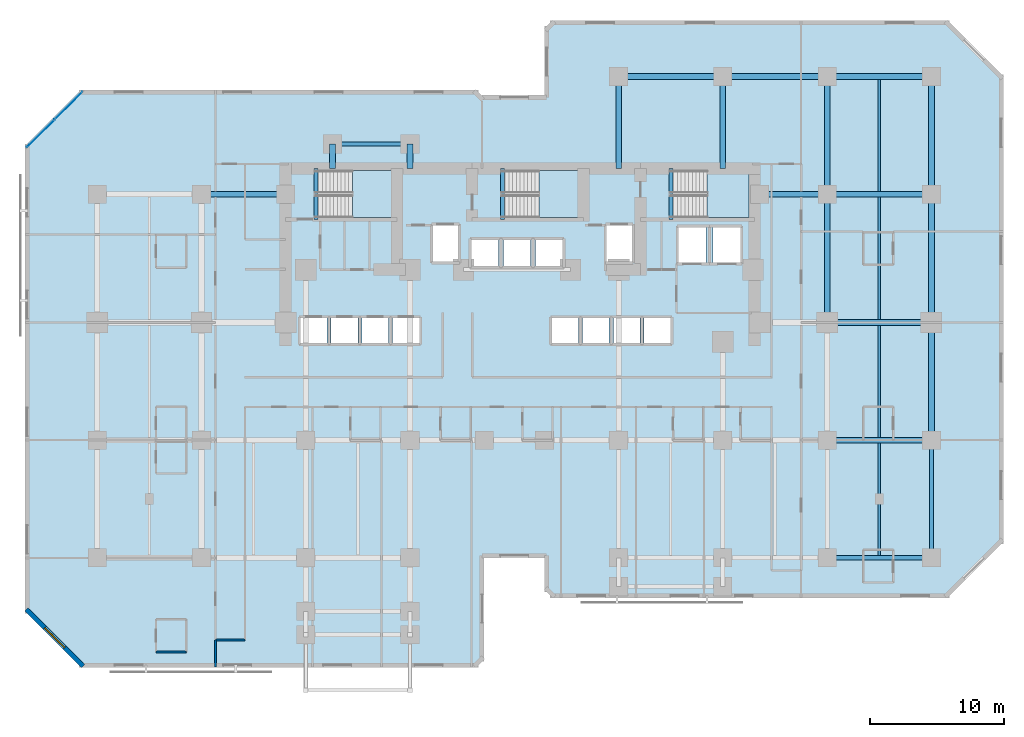
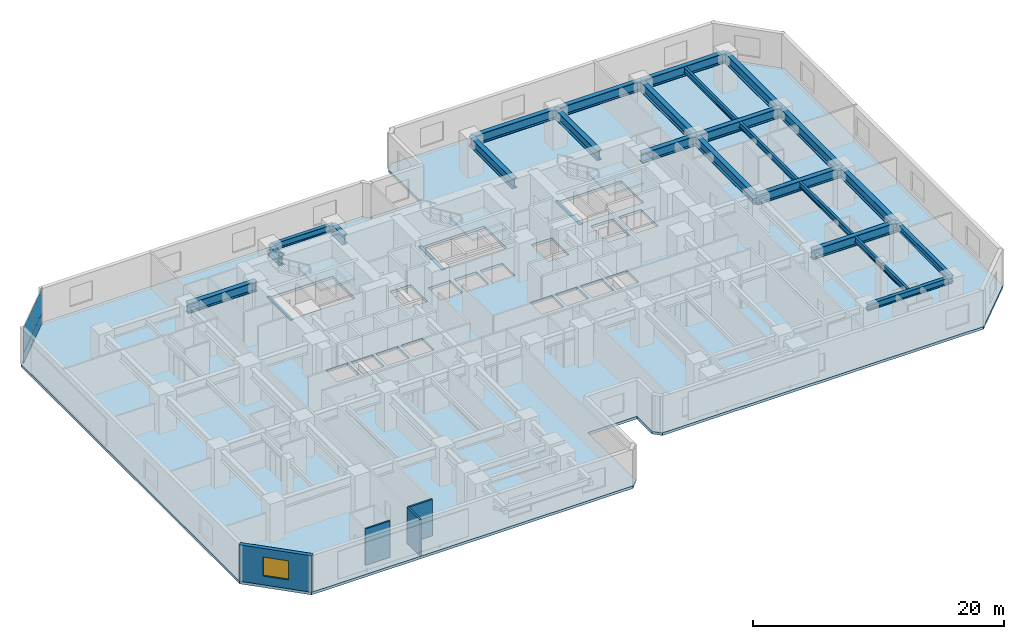
# One storey, part 4 of 12: 27 beams, 4 plates, 4 slabs, 4 walls, 1 window, 1 opening, 4 elements without a shape of their own.
"""IFC4 building model written with IfcOpenShell, lengths in metres."""

from ifc_helpers import new_model, si_unit, direction, frame, frame_2d, origin, origin_2d, place, context, subcontext, project, spatial, polyline, rectangle, i_section, outline, extrude, material, layer, layer_set, material_profile, profile_set, type_object, element, fill, aggregate, save


model = new_model("IFC4")

# Units and contexts
model_context = context("Model", 3, precision=1e-05, world=origin(), true_north=direction((0.0, 1.0)))
body_context = subcontext(model_context, "Body", "Model", "MODEL_VIEW")
ifc_project = project(units=[si_unit("LENGTHUNIT", "METRE"), si_unit("AREAUNIT", "SQUARE_METRE"), si_unit("VOLUMEUNIT", "CUBIC_METRE"), si_unit("PLANEANGLEUNIT", "RADIAN"), si_unit("MASSUNIT", "GRAM", prefix="KILO")], contexts=[model_context])

# Site, building, storey
site_placement = place(None, origin())
site = spatial("IfcSite", under=ifc_project, at=site_placement, CompositionType="ELEMENT")
building_placement = place(site_placement, origin())
building = spatial("IfcBuilding", under=site, at=building_placement, Name="Kestravale Grand Hotel", CompositionType="ELEMENT")
storey_placement = place(building_placement, frame((0.0, 0.0, 26.0)))
storey = spatial("IfcBuildingStorey", under=building, at=storey_placement, Name="L05", CompositionType="ELEMENT", Elevation=26.0)

# Beams
ifc_material_1 = material(Name="Steel ASTM A992 Grade 50", Category="steel")
ifc_material_profile_1 = material_profile(ifc_material_1, i_section(OverallWidth=0.2099609375, OverallDepth=0.535888671875, WebThickness=0.010986328125, FlangeThickness=0.017333984375, FilletRadius=0.017578125, at=origin_2d()))
ifc_profile_set_1 = profile_set([ifc_material_profile_1], Name="Steel ASTM A992 Grade 50")
beam_type_1 = type_object("IfcBeamType", Name="B-FLR-JST21", PredefinedType="JOIST", material=ifc_profile_set_1)
beam_1_placement = place(storey_placement, frame((66.300048828125, 11.362548828125, 3.27197265625), z_axis=(0.0, 1.0, 0.0), x_axis=(-1.0, 0.0, 0.0)))
element("IfcBeam", 1, at=beam_1_placement, inside=storey, type_object=beam_type_1, Name="L05 floor joist 10-11/C-D #1", PredefinedType="JOIST", context=body_context, shape_type="SweptSolid", body=[
    extrude(i_section(OverallWidth=0.2099609375, OverallDepth=0.535888671875, WebThickness=0.010986328125, FlangeThickness=0.017333984375, FilletRadius=0.017578125, at=origin_2d()), origin(), (0.0, 0.0, 1.0), 8.425537109375),
])
beam_2_placement = place(storey_placement, frame((66.300048828125, 20.2119140625, 3.27197265625), z_axis=(0.0, 1.0, 0.0), x_axis=(-1.0, 0.0, 0.0)))
element("IfcBeam", 2, at=beam_2_placement, inside=storey, type_object=beam_type_1, Name="L05 floor joist 10-11/D-E #1", PredefinedType="JOIST", context=body_context, shape_type="SweptSolid", body=[
    extrude(i_section(OverallWidth=0.2099609375, OverallDepth=0.535888671875, WebThickness=0.010986328125, FlangeThickness=0.017333984375, FilletRadius=0.017578125, at=origin_2d()), origin(), (0.0, 0.0, 1.0), 8.3759765625),
])
beam_3_placement = place(storey_placement, frame((66.300048828125, 29.011962890625, 3.27197265625), z_axis=(0.0, 1.0, 0.0), x_axis=(-1.0, 0.0, 0.0)))
element("IfcBeam", 3, at=beam_3_placement, inside=storey, type_object=beam_type_1, Name="L05 floor joist 10-11/E-F #1", PredefinedType="JOIST", context=body_context, shape_type="SweptSolid", body=[
    extrude(i_section(OverallWidth=0.2099609375, OverallDepth=0.535888671875, WebThickness=0.010986328125, FlangeThickness=0.017333984375, FilletRadius=0.017578125, at=origin_2d()), origin(), (0.0, 0.0, 1.0), 9.176025390625),
])
beam_4_placement = place(storey_placement, frame((66.300048828125, 38.612060546875, 3.27197265625), z_axis=(0.0, 1.0, 0.0), x_axis=(-1.0, 0.0, 0.0)))
element("IfcBeam", 4, at=beam_4_placement, inside=storey, type_object=beam_type_1, Name="L05 floor joist 10-11/F-G #1", PredefinedType="JOIST", context=body_context, shape_type="SweptSolid", body=[
    extrude(i_section(OverallWidth=0.2099609375, OverallDepth=0.535888671875, WebThickness=0.010986328125, FlangeThickness=0.017333984375, FilletRadius=0.017578125, at=origin_2d()), origin(), (0.0, 0.0, 1.0), 8.3759765625),
])
ifc_material_2 = material(Name="Concrete f'c 45 MPa", Category="concrete")
ifc_material_profile_2 = material_profile(ifc_material_2, rectangle(XDim=0.300048828125, YDim=0.39990234375, at=origin_2d()))
ifc_profile_set_2 = profile_set([ifc_material_profile_2], Name="Concrete f'c 45 MPa")
beam_type_2 = type_object("IfcBeamType", Name="B-FLR-LNT400", PredefinedType="LINTEL", material=ifc_profile_set_2)
for number, where, z_axis, x_axis, name in (
    (5, (24.159912109375, 36.52001953125, -0.199951171875), (0.0, 1.0, 0.0), (-1.0, 0.0, 0.0), "L05 ST1 flight bottom header beam"),
    (6, (38.110107421875, 36.52001953125, -0.199951171875), (0.0, 1.0, 0.0), (-1.0, 0.0, 0.0), "L05 ST2 flight bottom header beam"),
    (7, (50.7099609375, 36.52001953125, -0.199951171875), (0.0, 1.0, 0.0), (-1.0, 0.0, 0.0), "L05 ST3 flight bottom header beam"),
):
    element("IfcBeam", number, at=place(storey_placement, frame(where, z_axis=z_axis, x_axis=x_axis)), inside=storey, type_object=beam_type_2, Name=name, PredefinedType="LINTEL", context=body_context, shape_type="SweptSolid", body=[
        extrude(rectangle(XDim=0.300048828125, YDim=0.39990234375, at=origin_2d()), origin(), (0.0, 0.0, 1.0), 3.800048828125),
    ])
ifc_material_3 = material(Name="Steel ASTM A992 Grade 50", Category="steel")
ifc_material_profile_3 = material_profile(ifc_material_3, i_section(OverallWidth=0.324951171875, OverallDepth=0.612060546875, WebThickness=0.0126953125, FlangeThickness=0.01904296875, FilletRadius=0.018798828125, at=origin_2d()))
ifc_profile_set_3 = profile_set([ifc_material_profile_3], Name="Steel ASTM A992 Grade 50")
beam_type_3 = type_object("IfcBeamType", Name="B-FLR-W24A", PredefinedType="SPANDREL", material=ifc_profile_set_3)
beam_5_placement = place(storey_placement, frame((62.39990234375, 11.199951171875, 3.23388671875), z_axis=(1.0, 0.0, 0.0), x_axis=(0.0, 1.0, 0.0)))
element("IfcBeam", 8, at=beam_5_placement, inside=storey, type_object=beam_type_3, Name="L05 spandrel C:10-11", PredefinedType="SPANDREL", context=body_context, shape_type="SweptSolid", body=[
    extrude(i_section(OverallWidth=0.324951171875, OverallDepth=0.612060546875, WebThickness=0.0126953125, FlangeThickness=0.01904296875, FilletRadius=0.018798828125, at=origin_2d()), origin(), (0.0, 0.0, 1.0), 7.800048828125),
])
beam_6_placement = place(storey_placement, frame((25.39990234375, 42.14990234375, 3.23388671875), z_axis=(1.0, 0.0, 0.0), x_axis=(0.0, 1.0, 0.0)))
element("IfcBeam", 9, at=beam_6_placement, inside=storey, type_object=beam_type_3, Name="L05 perimeter tie spandrel FN:4-5", PredefinedType="SPANDREL", context=body_context, shape_type="SweptSolid", body=[
    extrude(i_section(OverallWidth=0.324951171875, OverallDepth=0.612060546875, WebThickness=0.0126953125, FlangeThickness=0.01904296875, FilletRadius=0.018798828125, at=origin_2d()), origin(), (0.0, 0.0, 1.0), 5.800048828125),
])
beam_7_placement = place(storey_placement, frame((70.199951171875, 11.199951171875, 3.23388671875), z_axis=(0.0, 1.0, 0.0), x_axis=(-1.0, 0.0, 0.0)))
element("IfcBeam", 10, at=beam_7_placement, inside=storey, type_object=beam_type_3, Name="L05 spandrel 11:C-D", PredefinedType="SPANDREL", context=body_context, shape_type="SweptSolid", body=[
    extrude(i_section(OverallWidth=0.324951171875, OverallDepth=0.612060546875, WebThickness=0.0126953125, FlangeThickness=0.01904296875, FilletRadius=0.018798828125, at=origin_2d()), origin(), (0.0, 0.0, 1.0), 8.800048828125),
])
ifc_material_4 = material(Name="Steel ASTM A992 Grade 50", Category="steel")
ifc_material_profile_4 = material_profile(ifc_material_4, i_section(OverallWidth=0.424072265625, OverallDepth=0.947021484375, WebThickness=0.02392578125, FlangeThickness=0.042724609375, FilletRadius=0.0283203125, at=origin_2d()))
ifc_profile_set_4 = profile_set([ifc_material_profile_4], Name="Steel ASTM A992 Grade 50")
beam_type_4 = type_object("IfcBeamType", Name="B-GRD-W36", PredefinedType="BEAM", material=ifc_profile_set_4)
for number, where, z_axis, x_axis, name in (
    (11, (62.39990234375, 20.0, 3.06640625), (1.0, 0.0, 0.0), (0.0, 1.0, 0.0), "L05 girder D:10-11"),
    (12, (62.39990234375, 28.800048828125, 3.06640625), (1.0, 0.0, 0.0), (0.0, 1.0, 0.0), "L05 girder E:10-11"),
):
    element("IfcBeam", number, at=place(storey_placement, frame(where, z_axis=z_axis, x_axis=x_axis)), inside=storey, type_object=beam_type_4, Name=name, PredefinedType="BEAM", context=body_context, shape_type="SweptSolid", body=[
        extrude(i_section(OverallWidth=0.424072265625, OverallDepth=0.947021484375, WebThickness=0.02392578125, FlangeThickness=0.042724609375, FilletRadius=0.0283203125, at=origin_2d()), origin(), (0.0, 0.0, 1.0), 7.800048828125),
    ])
beam_8_placement = place(storey_placement, frame((15.60009765625, 38.39990234375, 3.06640625), z_axis=(1.0, 0.0, 0.0), x_axis=(0.0, 1.0, 0.0)))
element("IfcBeam", 13, at=beam_8_placement, inside=storey, type_object=beam_type_4, Name="L05 girder F:3-CW", PredefinedType="BEAM", context=body_context, shape_type="SweptSolid", body=[
    extrude(i_section(OverallWidth=0.424072265625, OverallDepth=0.947021484375, WebThickness=0.02392578125, FlangeThickness=0.042724609375, FilletRadius=0.0283203125, at=origin_2d()), origin(), (0.0, 0.0, 1.0), 6.2998046875),
])
beam_9_placement = place(storey_placement, frame((57.35009765625, 38.39990234375, 3.06640625), z_axis=(1.0, 0.0, 0.0), x_axis=(0.0, 1.0, 0.0)))
element("IfcBeam", 14, at=beam_9_placement, inside=storey, type_object=beam_type_4, Name="L05 girder F:CE-10", PredefinedType="BEAM", context=body_context, shape_type="SweptSolid", body=[
    extrude(i_section(OverallWidth=0.424072265625, OverallDepth=0.947021484375, WebThickness=0.02392578125, FlangeThickness=0.042724609375, FilletRadius=0.0283203125, at=origin_2d()), origin(), (0.0, 0.0, 1.0), 5.0498046875),
])
for number, where, z_axis, x_axis, name in (
    (15, (62.39990234375, 38.39990234375, 3.06640625), (1.0, 0.0, 0.0), (0.0, 1.0, 0.0), "L05 girder F:10-11"),
    (16, (46.800048828125, 47.199951171875, 3.06640625), (1.0, 0.0, 0.0), (0.0, 1.0, 0.0), "L05 girder G:8-9"),
):
    element("IfcBeam", number, at=place(storey_placement, frame(where, z_axis=z_axis, x_axis=x_axis)), inside=storey, type_object=beam_type_4, Name=name, PredefinedType="BEAM", context=body_context, shape_type="SweptSolid", body=[
        extrude(i_section(OverallWidth=0.424072265625, OverallDepth=0.947021484375, WebThickness=0.02392578125, FlangeThickness=0.042724609375, FilletRadius=0.0283203125, at=origin_2d()), origin(), (0.0, 0.0, 1.0), 7.800048828125),
    ])
beam_10_placement = place(storey_placement, frame((54.60009765625, 47.199951171875, 3.06640625), z_axis=(1.0, 0.0, 0.0), x_axis=(0.0, 1.0, 0.0)))
element("IfcBeam", 17, at=beam_10_placement, inside=storey, type_object=beam_type_4, Name="L05 girder G:9-10", PredefinedType="BEAM", context=body_context, shape_type="SweptSolid", body=[
    extrude(i_section(OverallWidth=0.424072265625, OverallDepth=0.947021484375, WebThickness=0.02392578125, FlangeThickness=0.042724609375, FilletRadius=0.0283203125, at=origin_2d()), origin(), (0.0, 0.0, 1.0), 7.7998046875),
])
beam_11_placement = place(storey_placement, frame((62.39990234375, 47.199951171875, 3.06640625), z_axis=(1.0, 0.0, 0.0), x_axis=(0.0, 1.0, 0.0)))
element("IfcBeam", 18, at=beam_11_placement, inside=storey, type_object=beam_type_4, Name="L05 girder G:10-11", PredefinedType="BEAM", context=body_context, shape_type="SweptSolid", body=[
    extrude(i_section(OverallWidth=0.424072265625, OverallDepth=0.947021484375, WebThickness=0.02392578125, FlangeThickness=0.042724609375, FilletRadius=0.0283203125, at=origin_2d()), origin(), (0.0, 0.0, 1.0), 7.800048828125),
])
beam_12_placement = place(storey_placement, frame((62.39990234375, 28.800048828125, 3.06640625), z_axis=(0.0, 1.0, 0.0), x_axis=(-1.0, 0.0, 0.0)))
element("IfcBeam", 19, at=beam_12_placement, inside=storey, type_object=beam_type_4, Name="L05 girder 10:E-F", PredefinedType="BEAM", context=body_context, shape_type="SweptSolid", body=[
    extrude(i_section(OverallWidth=0.424072265625, OverallDepth=0.947021484375, WebThickness=0.02392578125, FlangeThickness=0.042724609375, FilletRadius=0.0283203125, at=origin_2d()), origin(), (0.0, 0.0, 1.0), 9.599853515625),
])
for number, where, z_axis, x_axis, name in (
    (20, (62.39990234375, 38.39990234375, 3.06640625), (0.0, 1.0, 0.0), (-1.0, 0.0, 0.0), "L05 girder 10:F-G"),
    (21, (70.199951171875, 20.0, 3.06640625), (0.0, 1.0, 0.0), (-1.0, 0.0, 0.0), "L05 girder 11:D-E"),
):
    element("IfcBeam", number, at=place(storey_placement, frame(where, z_axis=z_axis, x_axis=x_axis)), inside=storey, type_object=beam_type_4, Name=name, PredefinedType="BEAM", context=body_context, shape_type="SweptSolid", body=[
        extrude(i_section(OverallWidth=0.424072265625, OverallDepth=0.947021484375, WebThickness=0.02392578125, FlangeThickness=0.042724609375, FilletRadius=0.0283203125, at=origin_2d()), origin(), (0.0, 0.0, 1.0), 8.800048828125),
    ])
beam_13_placement = place(storey_placement, frame((70.199951171875, 28.800048828125, 3.06640625), z_axis=(0.0, 1.0, 0.0), x_axis=(-1.0, 0.0, 0.0)))
element("IfcBeam", 22, at=beam_13_placement, inside=storey, type_object=beam_type_4, Name="L05 girder 11:E-F", PredefinedType="BEAM", context=body_context, shape_type="SweptSolid", body=[
    extrude(i_section(OverallWidth=0.424072265625, OverallDepth=0.947021484375, WebThickness=0.02392578125, FlangeThickness=0.042724609375, FilletRadius=0.0283203125, at=origin_2d()), origin(), (0.0, 0.0, 1.0), 9.599853515625),
])
beam_14_placement = place(storey_placement, frame((70.199951171875, 38.39990234375, 3.06640625), z_axis=(0.0, 1.0, 0.0), x_axis=(-1.0, 0.0, 0.0)))
element("IfcBeam", 23, at=beam_14_placement, inside=storey, type_object=beam_type_4, Name="L05 girder 11:F-G", PredefinedType="BEAM", context=body_context, shape_type="SweptSolid", body=[
    extrude(i_section(OverallWidth=0.424072265625, OverallDepth=0.947021484375, WebThickness=0.02392578125, FlangeThickness=0.042724609375, FilletRadius=0.0283203125, at=origin_2d()), origin(), (0.0, 0.0, 1.0), 8.800048828125),
])
for number, where, z_axis, x_axis, name in (
    (24, (25.39990234375, 40.320068359375, 3.06640625), (0.0, 1.0, 0.0), (-1.0, 0.0, 0.0), "L05 north wing tie girder 4:CN-FN"),
    (25, (31.199951171875, 40.320068359375, 3.06640625), (0.0, 1.0, 0.0), (-1.0, 0.0, 0.0), "L05 north wing tie girder 5:CN-FN"),
):
    element("IfcBeam", number, at=place(storey_placement, frame(where, z_axis=z_axis, x_axis=x_axis)), inside=storey, type_object=beam_type_4, Name=name, PredefinedType="BEAM", context=body_context, shape_type="SweptSolid", body=[
        extrude(i_section(OverallWidth=0.424072265625, OverallDepth=0.947021484375, WebThickness=0.02392578125, FlangeThickness=0.042724609375, FilletRadius=0.0283203125, at=origin_2d()), origin(), (0.0, 0.0, 1.0), 1.829833984375),
    ])
for number, where, z_axis, x_axis, name in (
    (26, (46.800048828125, 40.320068359375, 3.06640625), (0.0, 1.0, 0.0), (-1.0, 0.0, 0.0), "L05 north wing tie girder 8:CN-G"),
    (27, (54.60009765625, 40.320068359375, 3.06640625), (0.0, 1.0, 0.0), (-1.0, 0.0, 0.0), "L05 north wing tie girder 9:CN-G"),
):
    element("IfcBeam", number, at=place(storey_placement, frame(where, z_axis=z_axis, x_axis=x_axis)), inside=storey, type_object=beam_type_4, Name=name, PredefinedType="BEAM", context=body_context, shape_type="SweptSolid", body=[
        extrude(i_section(OverallWidth=0.424072265625, OverallDepth=0.947021484375, WebThickness=0.02392578125, FlangeThickness=0.042724609375, FilletRadius=0.0283203125, at=origin_2d()), origin(), (0.0, 0.0, 1.0), 6.8798828125),
    ])

# Curtain wall, plates
ifc_material_5 = material(Name="Thermally broken champagne-bronze aluminium and low-E glazing", Category="aluminium")
ifc_layer_1 = layer(ifc_material_5, 0.199951171875)
ifc_layer_set_1 = layer_set([ifc_layer_1], Name="CW-Z1")
curtain_wall_type = type_object("IfcCurtainWallType", Name="CW-Z1", PredefinedType="NOTDEFINED", material=ifc_layer_set_1)
curtain_wall_placement = place(storey_placement, origin())
curtain_wall = element("IfcCurtainWall", 28, at=curtain_wall_placement, inside=storey, type_object=curtain_wall_type, Name="L05 unitised curtain wall 18", PredefinedType="NOTDEFINED")
ifc_material_6 = material(Name="Insulated clear low-E double glazing IGU", Category="glass")
ifc_layer_2 = layer(ifc_material_6, 0.035888671875)
ifc_layer_set_2 = layer_set([ifc_layer_2], Name="CW-PNL-36")
plate_type = type_object("IfcPlateType", Name="CW-PNL-36", PredefinedType="CURTAIN_PANEL", material=ifc_layer_set_2)
plate_1_placement = place(storey_placement, frame((5.6640625, 45.023681640625, 0.074951171875), z_axis=(0.0, 0.0, 1.0), x_axis=(-0.707106781187, -0.707106781187, 0.0)))
plate_1 = element("IfcPlate", 29, at=plate_1_placement, type_object=plate_type, Name="CW-Z1 panel 1.1", PredefinedType="CURTAIN_PANEL", context=body_context, shape_type="SweptSolid", body=[
    extrude(rectangle(XDim=2.87744140625, YDim=0.035888671875, at=origin_2d()), origin(), (0.0, 0.0, 1.0), 0.9375),
])
plate_2_placement = place(storey_placement, frame((5.6640625, 45.023681640625, 1.087646484375), z_axis=(0.0, 0.0, 1.0), x_axis=(-0.707106781187, -0.707106781187, 0.0)))
plate_2 = element("IfcPlate", 30, at=plate_2_placement, type_object=plate_type, Name="CW-Z1 panel 1.2", PredefinedType="CURTAIN_PANEL", context=body_context, shape_type="SweptSolid", body=[
    extrude(rectangle(XDim=2.87744140625, YDim=0.035888671875, at=origin_2d()), origin(), (0.0, 0.0, 1.0), 2.37744140625),
])
plate_3_placement = place(storey_placement, frame((3.576416015625, 42.93603515625, 0.074951171875), z_axis=(0.0, 0.0, 1.0), x_axis=(-0.707106781187, -0.707106781187, 0.0)))
plate_3 = element("IfcPlate", 31, at=plate_3_placement, type_object=plate_type, Name="CW-Z1 panel 2.1", PredefinedType="CURTAIN_PANEL", context=body_context, shape_type="SweptSolid", body=[
    extrude(rectangle(XDim=2.87744140625, YDim=0.035888671875, at=origin_2d()), origin(), (0.0, 0.0, 1.0), 0.9375),
])
plate_4_placement = place(storey_placement, frame((3.576416015625, 42.93603515625, 1.087646484375), z_axis=(0.0, 0.0, 1.0), x_axis=(-0.707106781187, -0.707106781187, 0.0)))
plate_4 = element("IfcPlate", 32, at=plate_4_placement, type_object=plate_type, Name="CW-Z1 panel 2.2", PredefinedType="CURTAIN_PANEL", context=body_context, shape_type="SweptSolid", body=[
    extrude(rectangle(XDim=2.87744140625, YDim=0.035888671875, at=origin_2d()), origin(), (0.0, 0.0, 1.0), 2.37744140625),
])
aggregate(curtain_wall, [plate_1, plate_2, plate_3, plate_4])

# Stair, slab
ifc_material_7 = material(Name="Concrete f'c 45 MPa", Category="concrete")
stair_type = type_object("IfcStairType", Name="ST-CORE-380", PredefinedType="HALF_TURN_STAIR", material=ifc_material_7)
stair_1_placement = place(storey_placement, origin())
stair_1 = element("IfcStair", 33, at=stair_1_placement, inside=storey, type_object=stair_type, Name="L05 ST-1", PredefinedType="HALF_TURN_STAIR")
ifc_material_8 = material(Name="Concrete f'c 45 MPa", Category="concrete")
ifc_layer_3 = layer(ifc_material_8, 0.199951171875)
ifc_layer_set_3 = layer_set([ifc_layer_3], Name="SLB-ST-LND200")
slab_type_1 = type_object("IfcSlabType", Name="SLB-ST-LND200", PredefinedType="LANDING", material=ifc_layer_set_3)
slab_1_placement = place(storey_placement, frame((0.0, 0.0, 1.699951171875)))
slab_1 = element("IfcSlab", 34, at=slab_1_placement, type_object=slab_type_1, Name="ST-1 landing 1", PredefinedType="LANDING", context=body_context, shape_type="SweptSolid", body=[
    extrude(outline(polyline([(26.8798828125, 36.64990234375), (30.0, 36.64990234375), (30.0, 40.159912109375), (26.8798828125, 40.159912109375), (26.8798828125, 36.64990234375)])), origin(), (0.0, 0.0, 1.0), 0.199951171875),
])
aggregate(stair_1, [slab_1])

stair_2_placement = place(storey_placement, origin())
stair_2 = element("IfcStair", 35, at=stair_2_placement, inside=storey, type_object=stair_type, Name="L05 ST-2", PredefinedType="HALF_TURN_STAIR")
slab_2_placement = place(storey_placement, frame((0.0, 0.0, 1.699951171875)))
slab_2 = element("IfcSlab", 36, at=slab_2_placement, type_object=slab_type_1, Name="ST-2 landing 1", PredefinedType="LANDING", context=body_context, shape_type="SweptSolid", body=[
    extrude(outline(polyline([(40.830078125, 36.64990234375), (43.949951171875, 36.64990234375), (43.949951171875, 40.159912109375), (40.830078125, 40.159912109375), (40.830078125, 36.64990234375)])), origin(), (0.0, 0.0, 1.0), 0.199951171875),
])
aggregate(stair_2, [slab_2])

stair_3_placement = place(storey_placement, origin())
stair_3 = element("IfcStair", 37, at=stair_3_placement, inside=storey, type_object=stair_type, Name="L05 ST-3", PredefinedType="HALF_TURN_STAIR")
slab_3_placement = place(storey_placement, frame((0.0, 0.0, 1.699951171875)))
slab_3 = element("IfcSlab", 38, at=slab_3_placement, type_object=slab_type_1, Name="ST-3 landing 1", PredefinedType="LANDING", context=body_context, shape_type="SweptSolid", body=[
    extrude(outline(polyline([(53.429931640625, 36.64990234375), (56.550048828125, 36.64990234375), (56.550048828125, 40.159912109375), (53.429931640625, 40.159912109375), (53.429931640625, 36.64990234375)])), origin(), (0.0, 0.0, 1.0), 0.199951171875),
])
aggregate(stair_3, [slab_3])

# Slab
ifc_material_9 = material(Name="Concrete f'c 45 MPa", Category="concrete")
ifc_layer_4 = layer(ifc_material_9, 0.260009765625)
ifc_layer_set_4 = layer_set([ifc_layer_4], Name="SS-FLR-260")
slab_type_2 = type_object("IfcSlabType", Name="SS-FLR-260", PredefinedType="FLOOR", material=ifc_layer_set_4)
slab_4_placement = place(storey_placement, frame((0.0, 0.0, -0.260009765625)))
element("IfcSlab", 39, at=slab_4_placement, inside=storey, type_object=slab_type_2, Name="L05 structural floor slab", PredefinedType="FLOOR", context=body_context, shape_type="SweptSolid", body=[
    extrude(outline(polyline([(6.60009765625, 3.0), (36.14990234375, 3.0), (36.75, 3.60009765625), (36.75, 11.199951171875), (41.25, 11.199951171875), (41.25, 8.800048828125), (41.85009765625, 8.199951171875), (71.39990234375, 8.199951171875), (75.60009765625, 12.39990234375), (75.60009765625, 47.199951171875), (71.39990234375, 51.39990234375), (41.85009765625, 51.39990234375), (41.25, 50.800048828125), (41.25, 45.800048828125), (36.75, 45.800048828125), (36.75, 45.60009765625), (36.14990234375, 46.199951171875), (6.60009765625, 46.199951171875), (2.39990234375, 42.0), (2.39990234375, 7.199951171875), (6.60009765625, 3.0)]), holes=[polyline([(24.080078125, 36.64990234375), (30.0, 36.64990234375), (30.0, 40.159912109375), (24.080078125, 40.159912109375), (24.080078125, 36.64990234375)]), polyline([(38.030029296875, 36.64990234375), (43.949951171875, 36.64990234375), (43.949951171875, 40.159912109375), (38.030029296875, 40.159912109375), (38.030029296875, 36.64990234375)]), polyline([(50.6298828125, 36.64990234375), (56.550048828125, 36.64990234375), (56.550048828125, 40.159912109375), (50.6298828125, 40.159912109375), (50.6298828125, 36.64990234375)]), polyline([(23.0048828125, 27.280029296875), (24.9951171875, 27.280029296875), (24.9951171875, 29.1201171875), (23.0048828125, 29.1201171875), (23.0048828125, 27.280029296875)]), polyline([(25.304931640625, 27.280029296875), (27.294921875, 27.280029296875), (27.294921875, 29.1201171875), (25.304931640625, 29.1201171875), (25.304931640625, 27.280029296875)]), polyline([(27.60498046875, 27.280029296875), (29.594970703125, 27.280029296875), (29.594970703125, 29.1201171875), (27.60498046875, 29.1201171875), (27.60498046875, 27.280029296875)]), polyline([(29.905029296875, 27.280029296875), (31.89501953125, 27.280029296875), (31.89501953125, 29.1201171875), (29.905029296875, 29.1201171875), (29.905029296875, 27.280029296875)]), polyline([(41.804931640625, 27.280029296875), (43.794921875, 27.280029296875), (43.794921875, 29.1201171875), (41.804931640625, 29.1201171875), (41.804931640625, 27.280029296875)]), polyline([(44.10498046875, 27.280029296875), (46.094970703125, 27.280029296875), (46.094970703125, 29.1201171875), (44.10498046875, 29.1201171875), (44.10498046875, 27.280029296875)]), polyline([(46.405029296875, 27.280029296875), (48.39501953125, 27.280029296875), (48.39501953125, 29.1201171875), (46.405029296875, 29.1201171875), (46.405029296875, 27.280029296875)]), polyline([(48.705078125, 27.280029296875), (50.695068359375, 27.280029296875), (50.695068359375, 29.1201171875), (48.705078125, 29.1201171875), (48.705078125, 27.280029296875)]), polyline([(35.780029296875, 33.030029296875), (37.820068359375, 33.030029296875), (37.820068359375, 34.969970703125), (35.780029296875, 34.969970703125), (35.780029296875, 33.030029296875)]), polyline([(38.179931640625, 33.030029296875), (40.219970703125, 33.030029296875), (40.219970703125, 34.969970703125), (38.179931640625, 34.969970703125), (38.179931640625, 33.030029296875)]), polyline([(40.580078125, 33.030029296875), (42.6201171875, 33.030029296875), (42.6201171875, 34.969970703125), (40.580078125, 34.969970703125), (40.580078125, 33.030029296875)]), polyline([(32.905029296875, 33.35498046875), (34.794921875, 33.35498046875), (34.794921875, 36.044921875), (32.905029296875, 36.044921875), (32.905029296875, 33.35498046875)]), polyline([(45.905029296875, 33.35498046875), (47.794921875, 33.35498046875), (47.794921875, 36.044921875), (45.905029296875, 36.044921875), (45.905029296875, 33.35498046875)]), polyline([(51.280029296875, 33.280029296875), (53.320068359375, 33.280029296875), (53.320068359375, 35.919921875), (51.280029296875, 35.919921875), (51.280029296875, 33.280029296875)]), polyline([(53.8798828125, 33.280029296875), (55.919921875, 33.280029296875), (55.919921875, 35.919921875), (53.8798828125, 35.919921875), (53.8798828125, 33.280029296875)])]), origin(), (0.0, 0.0, 1.0), 0.260009765625),
])

# Wall, opening, window
ifc_material_10 = material(Name="Precast concrete f'c 45 MPa", Category="concrete")
ifc_layer_5 = layer(ifc_material_10, 0.340087890625)
ifc_layer_set_5 = layer_set([ifc_layer_5], Name="EW-PREC-340")
wall_type_1 = type_object("IfcWallType", Name="EW-PREC-340", PredefinedType="SOLIDWALL", material=ifc_layer_set_5)
wall_1_placement = place(storey_placement, frame((2.491943359375, 7.348388671875, 0.0), z_axis=(0.0, 0.0, 1.0), x_axis=(0.707106781187, -0.707106781187, 0.0)))
wall_1 = element("IfcWall", 40, at=wall_1_placement, inside=storey, type_object=wall_type_1, Name="L05 fluted precast facade wall 20", PredefinedType="SOLIDWALL", context=body_context, shape_type="SweptSolid", body=[
    extrude(rectangle(XDim=6.019775390625, YDim=0.340087890625, at=frame_2d((3.009765625, 0.0))), origin(), (0.0, 0.0, 1.0), 3.5400390625),
])
opening_placement = place(wall_1_placement, frame((1.9599609375, 0.0, 0.85009765625)))
opening = element("IfcOpeningElement", 41, at=opening_placement, cuts=wall_1, Name="Opening W-GUEST-2100", PredefinedType="OPENING", context=body_context, shape_type="SweptSolid", body=[
    extrude(rectangle(XDim=2.10009765625, YDim=1.85009765625, at=frame_2d((1.050048828125, 0.925048828125))), frame((0.0, 0.179931640625, 0.0), z_axis=(0.0, -1.0, 0.0), x_axis=(1.0, 0.0, 0.0)), (0.0, 0.0, 1.0), 0.360107421875),
])
ifc_material_11 = material(Name="Insulated low-E double glazing in aluminium frame", Category="aluminium")
window_type = type_object("IfcWindowType", Name="W-GUEST-2100", PartitioningType="DOUBLE_PANEL_VERTICAL", PredefinedType="WINDOW", material=ifc_material_11)
window_placement = place(opening_placement, origin())
window = element("IfcWindow", 42, at=window_placement, inside=storey, type_object=window_type, Name="L05 exterior window 20.1", OverallHeight=1.85009765625, OverallWidth=2.10009765625, PartitioningType="SINGLE_PANEL", PredefinedType="WINDOW", context=body_context, shape_type="SweptSolid", body=[
    extrude(rectangle(XDim=2.10009765625, YDim=1.85009765625, at=frame_2d((1.050048828125, 0.925048828125))), frame((0.0, 0.030029296875, 0.0), z_axis=(0.0, -1.0, 0.0), x_axis=(1.0, 0.0, 0.0)), (0.0, 0.0, 1.0), 0.06005859375),
])
fill(opening, window)

# Walls
ifc_material_12 = material(Name="Moisture-resistant tile-backer plumbing chase wall", Category="other")
ifc_layer_6 = layer(ifc_material_12, 0.139892578125)
ifc_layer_set_6 = layer_set([ifc_layer_6], Name="IW-PLB-140")
wall_type_2 = type_object("IfcWallType", Name="IW-PLB-140", PredefinedType="PLUMBINGWALL", material=ifc_layer_set_6)
wall_2_placement = place(storey_placement, frame((12.199951171875, 4.14990234375, 0.0), z_axis=(0.0, 0.0, 1.0), x_axis=(1.0, 0.0, 0.0)))
element("IfcWall", 43, at=wall_2_placement, inside=storey, type_object=wall_type_2, Name="W-L05-U06-BS", PredefinedType="PLUMBINGWALL", context=body_context, shape_type="SweptSolid", body=[
    extrude(rectangle(XDim=2.25, YDim=0.139892578125, at=frame_2d((1.125, 0.0))), origin(), (0.0, 0.0, 1.0), 3.5400390625),
])
ifc_material_13 = material(Name="Double-stud STC 52 acoustic demising partition", Category="other")
ifc_layer_7 = layer(ifc_material_13, 0.14990234375)
ifc_layer_set_7 = layer_set([ifc_layer_7], Name="IW-UNIT-150")
wall_type_3 = type_object("IfcWallType", Name="IW-UNIT-150", PredefinedType="PARTITIONING", material=ifc_layer_set_7)
wall_3_placement = place(storey_placement, frame((16.639892578125, 5.050048828125, 0.0), z_axis=(0.0, 0.0, 1.0), x_axis=(1.0, 0.0, 0.0)))
element("IfcWall", 44, at=wall_3_placement, inside=storey, type_object=wall_type_3, Name="W-L05-SW-S", PredefinedType="PARTITIONING", context=body_context, shape_type="SweptSolid", body=[
    extrude(rectangle(XDim=2.22021484375, YDim=0.14990234375, at=frame_2d((1.110107421875, 0.0))), origin(), (0.0, 0.0, 1.0), 3.5400390625),
])
wall_4_placement = place(storey_placement, frame((16.639892578125, 3.02001953125, 0.0), z_axis=(0.0, 0.0, 1.0), x_axis=(0.0, 1.0, 0.0)))
element("IfcWall", 45, at=wall_4_placement, inside=storey, type_object=wall_type_3, Name="W-L05-SW-EXT", PredefinedType="PARTITIONING", context=body_context, shape_type="SweptSolid", body=[
    extrude(rectangle(XDim=2.030029296875, YDim=0.14990234375, at=frame_2d((1.01513671875, 0.0))), origin(), (0.0, 0.0, 1.0), 3.5400390625),
])

save(model, "model.ifc")
